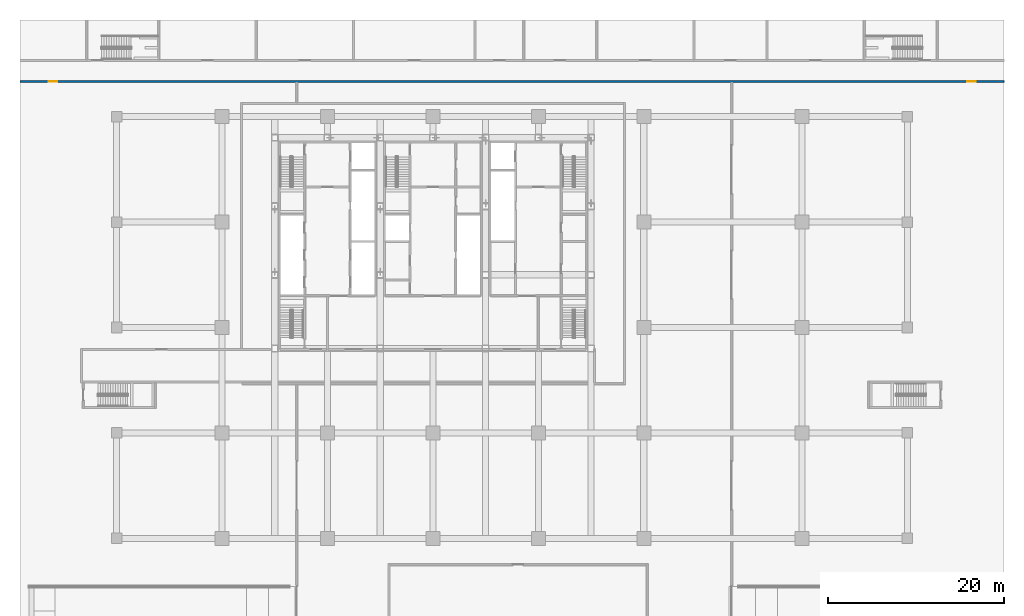
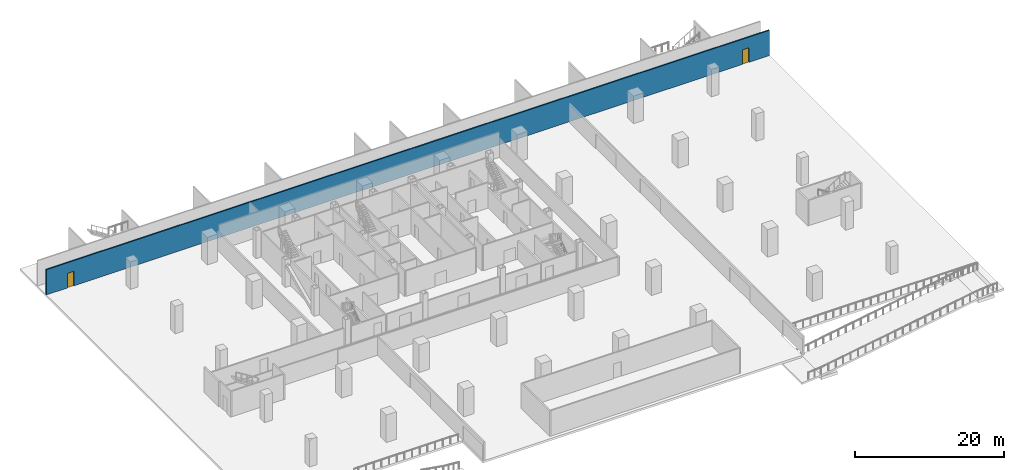
# One storey, part 6 of 15: 2 doors, 1 wall, 2 openings.
"""IFC4 building model written with IfcOpenShell, lengths in metres."""

from ifc_helpers import new_model, si_unit, direction, frame, frame_2d, origin, place, context, subcontext, project, spatial, rectangle, extrude, material, layer, layer_set, type_object, element, fill, save


model = new_model("IFC4")

# Units and contexts
model_context = context("Model", 3, precision=1e-05, world=origin(), true_north=direction((0.0, 1.0)))
body_context = subcontext(model_context, "Body", "Model", "MODEL_VIEW")
ifc_project = project(units=[si_unit("LENGTHUNIT", "METRE"), si_unit("AREAUNIT", "SQUARE_METRE"), si_unit("VOLUMEUNIT", "CUBIC_METRE"), si_unit("PLANEANGLEUNIT", "RADIAN"), si_unit("MASSUNIT", "GRAM", prefix="KILO")], contexts=[model_context])

# Site, building, storey
site_placement = place(None, origin())
site = spatial("IfcSite", under=ifc_project, at=site_placement, CompositionType="ELEMENT")
building_placement = place(site_placement, origin())
building = spatial("IfcBuilding", under=site, at=building_placement, Name="Sorahane Residences", CompositionType="ELEMENT")
storey_placement = place(building_placement, frame((0.0, 0.0, -9.0)))
storey = spatial("IfcBuildingStorey", under=building, at=storey_placement, Name="B2", CompositionType="ELEMENT", Elevation=-9.0)

# Wall, openings, doors
ifc_material_1 = material(Name="Concrete blockwork C20 wall", Category="masonry")
ifc_layer = layer(ifc_material_1, 0.199951171875)
ifc_layer_set = layer_set([ifc_layer], Name="Fire wall 200 EI 120")
wall_type = type_object("IfcWallType", Name="Fire wall 200 EI 120", PredefinedType="SOLIDWALL", material=ifc_layer_set)
wall_placement = place(storey_placement, frame((-23.0, 52.0, 0.0), z_axis=(0.0, 0.0, 1.0), x_axis=(1.0, 0.0, 0.0)))
wall = element("IfcWall", 1, at=wall_placement, inside=storey, type_object=wall_type, Name="B2 fire wall", PredefinedType="SOLIDWALL", context=body_context, shape_type="SweptSolid", body=[
    extrude(rectangle(XDim=112.0, YDim=0.199951171875, at=frame_2d((56.0, 0.0))), origin(), (0.0, 0.0, 1.0), 4.139892578125),
])
opening_1_placement = place(wall_placement, frame((3.25, 0.0, 0.0)))
opening_1 = element("IfcOpeningElement", 2, at=opening_1_placement, cuts=wall, Name="Opening B2-14", PredefinedType="OPENING", context=body_context, shape_type="SweptSolid", body=[
    extrude(rectangle(XDim=1.0, YDim=2.39990234375, at=frame_2d((0.5, 1.199951171875))), frame((0.0, 0.10986328125, 0.0), z_axis=(0.0, -1.0, 0.0), x_axis=(1.0, 0.0, 0.0)), (0.0, 0.0, 1.0), 0.219970703125),
])
opening_2_placement = place(wall_placement, frame((107.800048828125, 0.0, 0.0)))
opening_2 = element("IfcOpeningElement", 3, at=opening_2_placement, cuts=wall, Name="Opening B2-15", PredefinedType="OPENING", context=body_context, shape_type="SweptSolid", body=[
    extrude(rectangle(XDim=1.0, YDim=2.39990234375, at=frame_2d((0.5, 1.199951171875))), frame((0.0, 0.10986328125, 0.0), z_axis=(0.0, -1.0, 0.0), x_axis=(1.0, 0.0, 0.0)), (0.0, 0.0, 1.0), 0.219970703125),
])
ifc_material_2 = material(Name="Steel", Category="steel")
door_type = type_object("IfcDoorType", Name="Fire door 1000x2400 FD60", OperationType="NOTDEFINED", PredefinedType="DOOR", material=ifc_material_2)
door_1_placement = place(opening_1_placement, origin())
door_1 = element("IfcDoor", 4, at=door_1_placement, inside=storey, type_object=door_type, Name="Fire door B2-14", OperationType="SINGLE_SWING_RIGHT", OverallHeight=2.39990234375, OverallWidth=1.0, PredefinedType="DOOR", context=body_context, shape_type="SweptSolid", body=[
    extrude(rectangle(XDim=1.0, YDim=2.39990234375, at=frame_2d((0.5, 1.199951171875))), frame((0.0, 0.02490234375, 0.0), z_axis=(0.0, -1.0, 0.0), x_axis=(1.0, 0.0, 0.0)), (0.0, 0.0, 1.0), 0.050048828125),
])
fill(opening_1, door_1)
door_2_placement = place(opening_2_placement, frame((1.0, 0.0, 0.0), z_axis=(0.0, 0.0, 1.0), x_axis=(-1.0, 0.0, 0.0)))
door_2 = element("IfcDoor", 5, at=door_2_placement, inside=storey, type_object=door_type, Name="Fire door B2-15", OperationType="SINGLE_SWING_RIGHT", OverallHeight=2.39990234375, OverallWidth=1.0, PredefinedType="DOOR", context=body_context, shape_type="SweptSolid", body=[
    extrude(rectangle(XDim=1.0, YDim=2.39990234375, at=frame_2d((0.5, 1.199951171875))), frame((0.0, 0.02490234375, 0.0), z_axis=(0.0, -1.0, 0.0), x_axis=(1.0, 0.0, 0.0)), (0.0, 0.0, 1.0), 0.050048828125),
])
fill(opening_2, door_2)

save(model, "model.ifc")
